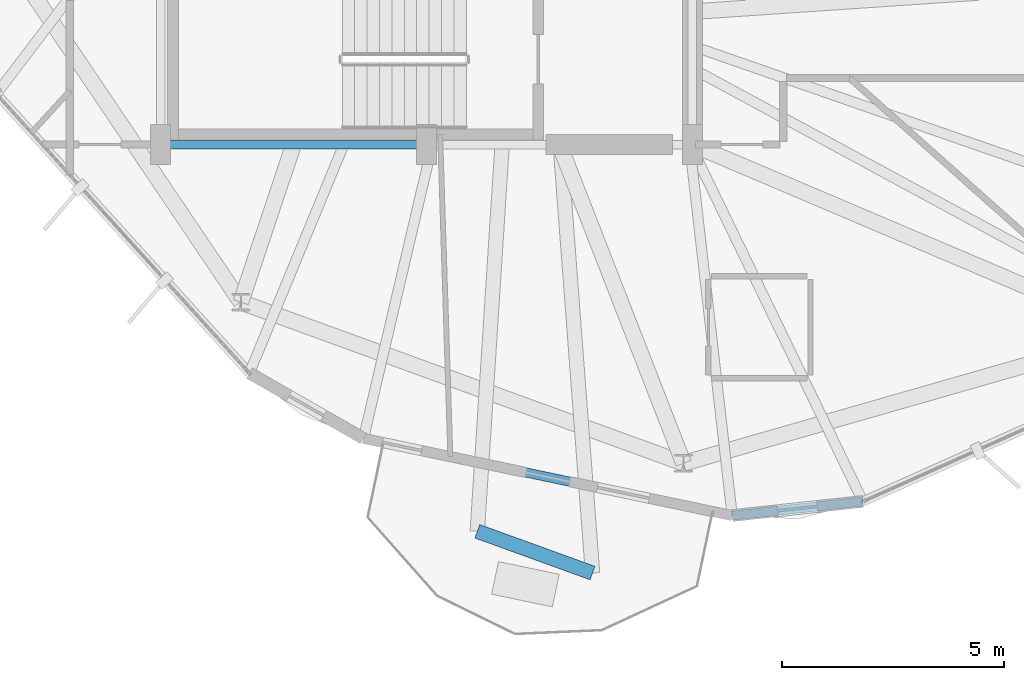
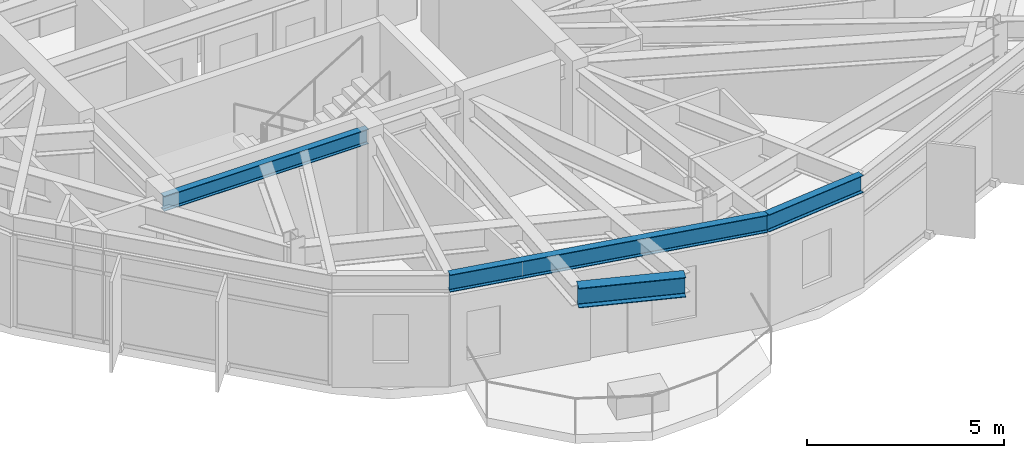
# One storey, part 4 of 23: 4 beams.
"""IFC4 building model written with IfcOpenShell, lengths in metres."""

import ifcopenshell
import ifcopenshell.guid

model = None  # the IFC model being written
_history = None  # IfcOwnerHistory: only IFC2X3 demands one
_inside = {}  # id of a spatial element -> (the spatial element, [elements in it])
_under = {}  # id of a project, library or spatial element -> (it, [spatial elements below it])
_declared = {}  # id of a project -> (the project, [libraries it declares])
_typed = {}  # id of a type object -> (the type object, [elements of that type])
_made_of = {}  # id of a material, layer set ... -> (it, [elements and type objects made of it])


def new_model(schema):
    """Start an empty IFC model of exactly this schema.

    Asked for "IFC4X3", IfcOpenShell would pick the latest addendum, in which some entities
    have other attributes; the version numbers below select the first issue.
    IFC2X3 requires an IfcOwnerHistory on every rooted entity: one is made here for all.
    """
    global model, _history
    if schema == "IFC4X3":
        model = ifcopenshell.file(schema_version=(4, 3, 0, 0))
    else:
        model = ifcopenshell.file(schema=schema)
    _inside.clear()
    _under.clear()
    _declared.clear()
    _typed.clear()
    _made_of.clear()
    _history = None
    if model.schema == "IFC2X3":
        org = make("IfcOrganization", Name="unknown")
        user = make(
            "IfcPersonAndOrganization",
            ThePerson=make("IfcPerson", FamilyName="unknown"),
            TheOrganization=org,
        )
        app = make(
            "IfcApplication",
            ApplicationDeveloper=org,
            Version="unknown",
            ApplicationFullName="unknown",
            ApplicationIdentifier="unknown",
        )
        _history = make(
            "IfcOwnerHistory",
            OwningUser=user,
            OwningApplication=app,
            ChangeAction="ADDED",
            CreationDate=0,
        )
    return model


def make(cls, **values):
    """One entity of the class cls with the attributes given. An attribute that is None is left unset."""
    return model.create_entity(
        cls, **{name: value for name, value in values.items() if value is not None}
    )


def rooted(cls, **values):
    """An entity with a GlobalId (a new one), such as an element, a storey or a relation."""
    return make(cls, GlobalId=ifcopenshell.guid.new(), OwnerHistory=_history, **values)


def si_unit(unit_type, name, prefix=None):
    """IfcSIUnit, for example si_unit("LENGTHUNIT", "METRE", prefix="MILLI")."""
    return make("IfcSIUnit", UnitType=unit_type, Prefix=prefix, Name=name)


def assignment(units):
    """IfcUnitAssignment: the units of a project."""
    return None if units is None else make("IfcUnitAssignment", Units=units)


def point(xyz):
    """IfcCartesianPoint."""
    return None if xyz is None else make("IfcCartesianPoint", Coordinates=xyz)


def direction(xyz):
    """IfcDirection."""
    return None if xyz is None else make("IfcDirection", DirectionRatios=xyz)


def frame(location, z_axis=None, x_axis=None):
    """IfcAxis2Placement3D, a coordinate frame: its origin and axes. An axis left out is left unset."""
    return make(
        "IfcAxis2Placement3D",
        Location=point(location),
        Axis=direction(z_axis),
        RefDirection=direction(x_axis),
    )


def frame_2d(location, x_axis=None):
    """IfcAxis2Placement2D, a coordinate frame in the plane: its origin and x axis."""
    return make(
        "IfcAxis2Placement2D", Location=point(location), RefDirection=direction(x_axis)
    )


def origin():
    """The frame at (0, 0, 0) with its axes left unset."""
    return frame((0.0, 0.0, 0.0))


def origin_2d():
    """The frame at (0, 0) in the plane with its x axis left unset."""
    return frame_2d((0.0, 0.0))


def place(relative_to, where):
    """IfcLocalPlacement: puts the frame where relative to a parent placement (None: the world)."""
    return make(
        "IfcLocalPlacement", PlacementRelTo=relative_to, RelativePlacement=where
    )


def context(
    kind, dimensions, precision=None, world=None, true_north=None, identifier=None
):
    """IfcGeometricRepresentationContext, for example the 3D "Model" context."""
    return make(
        "IfcGeometricRepresentationContext",
        ContextIdentifier=identifier,
        ContextType=kind,
        CoordinateSpaceDimension=dimensions,
        Precision=precision,
        WorldCoordinateSystem=world,
        TrueNorth=true_north,
    )


def subcontext(parent, identifier, kind, view, scale=None):
    """IfcGeometricRepresentationSubContext, for example "Body" below "Model"."""
    return make(
        "IfcGeometricRepresentationSubContext",
        ContextIdentifier=identifier,
        ContextType=kind,
        ParentContext=parent,
        TargetScale=scale,
        TargetView=view,
    )


def project(units=None, contexts=None):
    """IfcProject with its units and contexts."""
    return rooted(
        "IfcProject",
        Name="project",
        RepresentationContexts=contexts,
        UnitsInContext=assignment(units),
    )


def spatial(cls, under=None, at=None, **own):
    """A site, building, storey or space (cls), placed at a placement, below another one or the project."""
    s = rooted(cls, ObjectPlacement=at, **own)
    if under is not None:
        _under.setdefault(under.id(), (under, []))[1].append(s)
    return s


def profile(cls, at=None, kind="AREA", **sizes):
    """A parametric profile (cls). Its sizes go by their IFC names, for example OverallWidth=200.0."""
    return make(cls, ProfileType=kind, Position=at, **sizes)


def i_section(**sizes):
    """IfcIShapeProfileDef."""
    return profile("IfcIShapeProfileDef", **sizes)


def extrude(swept, where, along, depth):
    """IfcExtrudedAreaSolid: the profile swept, set in the frame where, extruded along a direction by depth."""
    return make(
        "IfcExtrudedAreaSolid",
        SweptArea=swept,
        Position=where,
        ExtrudedDirection=direction(along),
        Depth=depth,
    )


def shape(context_of_items, identifier, shape_type, items):
    """IfcShapeRepresentation: the items that make up one representation, for example the "Body"."""
    return make(
        "IfcShapeRepresentation",
        ContextOfItems=context_of_items,
        RepresentationIdentifier=identifier,
        RepresentationType=shape_type,
        Items=items,
    )


def material(Name=None, Category=None):
    """IfcMaterial."""
    return make("IfcMaterial", Name=Name, Category=Category)


def material_profile(
    of_material, cross_section, Name=None, Category=None, Priority=None
):
    """IfcMaterialProfile: a cross section and its material."""
    return make(
        "IfcMaterialProfile",
        Name=Name,
        Material=of_material,
        Profile=cross_section,
        Priority=Priority,
        Category=Category,
    )


def profile_set(profiles, Name=None, composite=None):
    """IfcMaterialProfileSet."""
    return make(
        "IfcMaterialProfileSet",
        Name=Name,
        MaterialProfiles=profiles,
        CompositeProfile=composite,
    )


def made_of(thing, what):
    """Note that an element or type object is made of a material, layer set ...; save() writes the relation."""
    if what is not None:
        _made_of.setdefault(what.id(), (what, []))[1].append(thing)
    return thing


def type_object(cls, material=None, **own):
    """A type object (cls), such as IfcWallType, which elements share."""
    return made_of(rooted(cls, **own), material)


def element(
    cls,
    number,
    at=None,
    inside=None,
    cuts=None,
    type_object=None,
    material=None,
    context=None,
    identifier="Body",
    shape_type=None,
    held_by="IfcProductDefinitionShape",
    body=None,
    shapes=None,
    **own,
):
    """One element of the class cls, such as IfcWall. Its Tag is "e" and its number.

    at: its placement. inside: the storey or other place that contains it. cuts: it is an
    opening in that element (IfcRelVoidsElement). A single representation is given by context,
    identifier, shape_type and body (its items); several are given by shapes. held_by: the class
    of the entity that holds the representations. save() writes the other relations.
    """
    e = rooted(cls, Tag="e%d" % number, ObjectPlacement=at, **own)
    if body is not None:
        shapes = [shape(context, identifier, shape_type, body)]
    if shapes is not None:
        e.Representation = make(held_by, Representations=shapes)
    if inside is not None:
        _inside.setdefault(inside.id(), (inside, []))[1].append(e)
    if cuts is not None:
        rooted(
            "IfcRelVoidsElement", RelatingBuildingElement=cuts, RelatedOpeningElement=e
        )
    if type_object is not None:
        _typed.setdefault(type_object.id(), (type_object, []))[1].append(e)
    return made_of(e, material)


def aggregate(whole, parts):
    """IfcRelAggregates: a whole, such as a stair, and the parts it consists of."""
    return rooted("IfcRelAggregates", RelatingObject=whole, RelatedObjects=parts)


def save(model, path):
    """Write the relations noted so far, then the file.

    IfcRelAggregates (storeys below a building ...), IfcRelContainedInSpatialStructure (elements
    in a storey), IfcRelDefinesByType, IfcRelAssociatesMaterial and IfcRelDeclares: one each for
    every whole, place, type object, material and project.
    """
    for whole, parts in _under.values():
        aggregate(whole, parts)
    for where, things in _inside.values():
        rooted(
            "IfcRelContainedInSpatialStructure",
            RelatedElements=things,
            RelatingStructure=where,
        )
    for kind, things in _typed.values():
        rooted("IfcRelDefinesByType", RelatedObjects=things, RelatingType=kind)
    for what, things in _made_of.values():
        rooted("IfcRelAssociatesMaterial", RelatedObjects=things, RelatingMaterial=what)
    for by, libraries in _declared.values():
        rooted("IfcRelDeclares", RelatingContext=by, RelatedDefinitions=libraries)
    model.write(path)


model = new_model("IFC4")

# Units and contexts
model_context = context("Model", 3, precision=1e-05, world=origin(), true_north=direction((0.0, 1.0)))
body_context = subcontext(model_context, "Body", "Model", "MODEL_VIEW")
ifc_project = project(units=[si_unit("LENGTHUNIT", "METRE"), si_unit("AREAUNIT", "SQUARE_METRE"), si_unit("VOLUMEUNIT", "CUBIC_METRE"), si_unit("PLANEANGLEUNIT", "RADIAN"), si_unit("MASSUNIT", "GRAM", prefix="KILO")], contexts=[model_context])

# Site, building, storey
site_placement = place(None, origin())
site = spatial("IfcSite", under=ifc_project, at=site_placement, CompositionType="ELEMENT")
building_placement = place(site_placement, origin())
building = spatial("IfcBuilding", under=site, at=building_placement, Name="Soratama Intermodal Tower", CompositionType="ELEMENT")
storey_placement = place(building_placement, frame((0.0, 0.0, 253.75)))
storey = spatial("IfcBuildingStorey", under=building, at=storey_placement, Name="L64", CompositionType="ELEMENT", Elevation=253.75)

# Beams
ifc_material_1 = material(Name="Structural steel ASTM A992 Grade 50", Category="steel")
ifc_material_profile_1 = material_profile(ifc_material_1, i_section(OverallWidth=0.324951171875, OverallDepth=0.615966796875, WebThickness=0.013916015625, FlangeThickness=0.021484375, FilletRadius=0.013916015625, at=origin_2d()), Name="W24X117")
ifc_profile_set_1 = profile_set([ifc_material_profile_1], Name="Structural steel ASTM A992 Grade 50")
beam_type_1 = type_object("IfcBeamType", Name="BM-CANT-W24X117", PredefinedType="BEAM", material=ifc_profile_set_1)
beam_1_placement = place(storey_placement, frame((39.74609375, 6.27587890625, 3.14208984375), z_axis=(0.940200049983, -0.340622762028, 0.0), x_axis=(0.340622762028, 0.940200049983, 0.0)))
element("IfcBeam", 1, at=beam_1_placement, inside=storey, type_object=beam_type_1, Name="BM-L64-CBHDR-3", PredefinedType="BEAM", context=body_context, shape_type="SweptSolid", body=[
    extrude(i_section(OverallWidth=0.324951171875, OverallDepth=0.615966796875, WebThickness=0.013916015625, FlangeThickness=0.021484375, FilletRadius=0.013916015625, at=origin_2d()), origin(), (0.0, 0.0, 1.0), 2.76513671875),
])
ifc_material_2 = material(Name="Structural steel ASTM A992 Grade 50", Category="steel")
ifc_material_profile_2 = material_profile(ifc_material_2, i_section(OverallWidth=0.19091796875, OverallDepth=0.4599609375, WebThickness=0.010009765625, FlangeThickness=0.01611328125, FilletRadius=0.010986328125, at=origin_2d()), Name="W18X55")
ifc_profile_set_2 = profile_set([ifc_material_profile_2], Name="Structural steel ASTM A992 Grade 50")
beam_type_2 = type_object("IfcBeamType", Name="BM-FLR-W18X55", PredefinedType="BEAM", material=ifc_profile_set_2)
beam_2_placement = place(storey_placement, frame((32.60009765625, 15.0, 3.219970703125), z_axis=(1.0, 0.0, 0.0), x_axis=(0.0, 1.0, 0.0)))
element("IfcBeam", 2, at=beam_2_placement, inside=storey, type_object=beam_type_2, Name="BM-L64-CRING-01", PredefinedType="BEAM", context=body_context, shape_type="SweptSolid", body=[
    extrude(i_section(OverallWidth=0.19091796875, OverallDepth=0.4599609375, WebThickness=0.010009765625, FlangeThickness=0.01611328125, FilletRadius=0.010986328125, at=origin_2d()), origin(), (0.0, 0.0, 1.0), 6.0),
])
ifc_material_3 = material(Name="Structural steel ASTM A992 Grade 50", Category="steel")
ifc_material_profile_3 = material_profile(ifc_material_3, i_section(OverallWidth=0.2099609375, OverallDepth=0.537109375, WebThickness=0.010986328125, FlangeThickness=0.017333984375, FilletRadius=0.012939453125, at=origin_2d()), Name="W21X68")
ifc_profile_set_3 = profile_set([ifc_material_profile_3], Name="Structural steel ASTM A992 Grade 50")
beam_type_3 = type_object("IfcBeamType", Name="BM-SPN-W21X68", PredefinedType="SPANDREL", material=ifc_profile_set_3)
beam_3_placement = place(storey_placement, frame((37.177978515625, 8.3701171875, 3.181396484375), z_axis=(0.978790491304, -0.204863794101, 0.0), x_axis=(0.204863794101, 0.978790491304, 0.0)))
element("IfcBeam", 3, at=beam_3_placement, inside=storey, type_object=beam_type_3, Name="BS-L64-F06", PredefinedType="SPANDREL", context=body_context, shape_type="SweptSolid", body=[
    extrude(i_section(OverallWidth=0.2099609375, OverallDepth=0.537109375, WebThickness=0.010986328125, FlangeThickness=0.017333984375, FilletRadius=0.012939453125, at=origin_2d()), origin(), (0.0, 0.0, 1.0), 8.499267578125),
])
beam_4_placement = place(storey_placement, frame((45.4970703125, 6.62890625, 3.181396484375), z_axis=(0.994200629663, 0.107541192003, 0.0), x_axis=(-0.107541192003, 0.994200629663, 0.0)))
element("IfcBeam", 4, at=beam_4_placement, inside=storey, type_object=beam_type_3, Name="BS-L64-CRN06", PredefinedType="SPANDREL", context=body_context, shape_type="SweptSolid", body=[
    extrude(i_section(OverallWidth=0.2099609375, OverallDepth=0.537109375, WebThickness=0.010986328125, FlangeThickness=0.017333984375, FilletRadius=0.012939453125, at=origin_2d()), origin(), (0.0, 0.0, 1.0), 2.967041015625),
])

save(model, "model.ifc")
